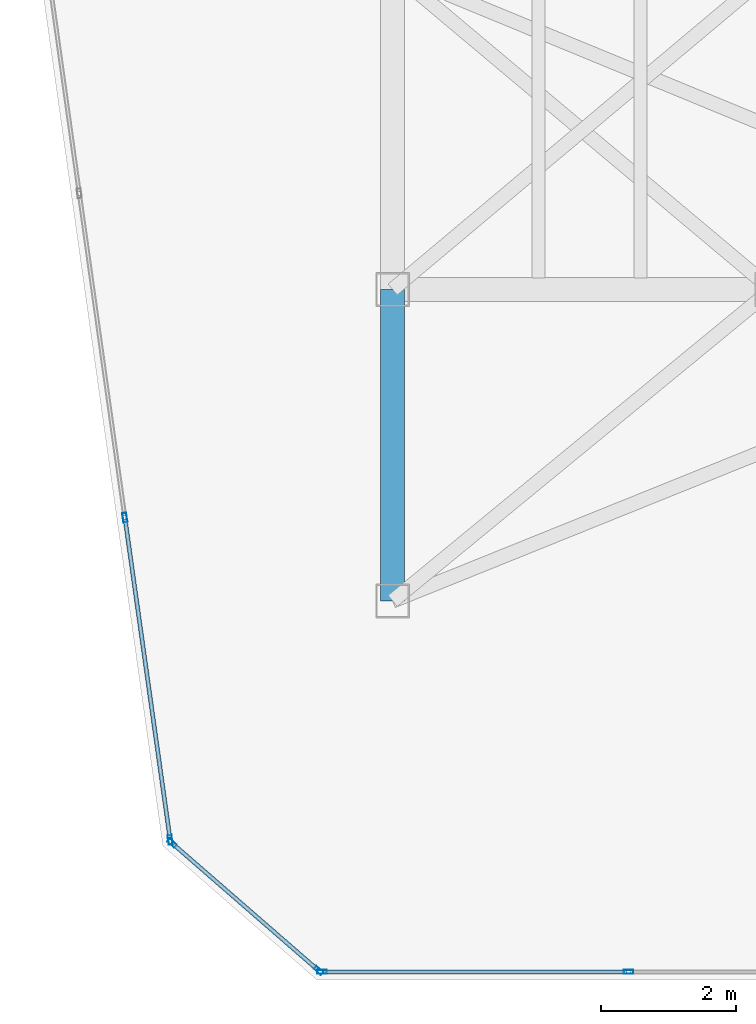
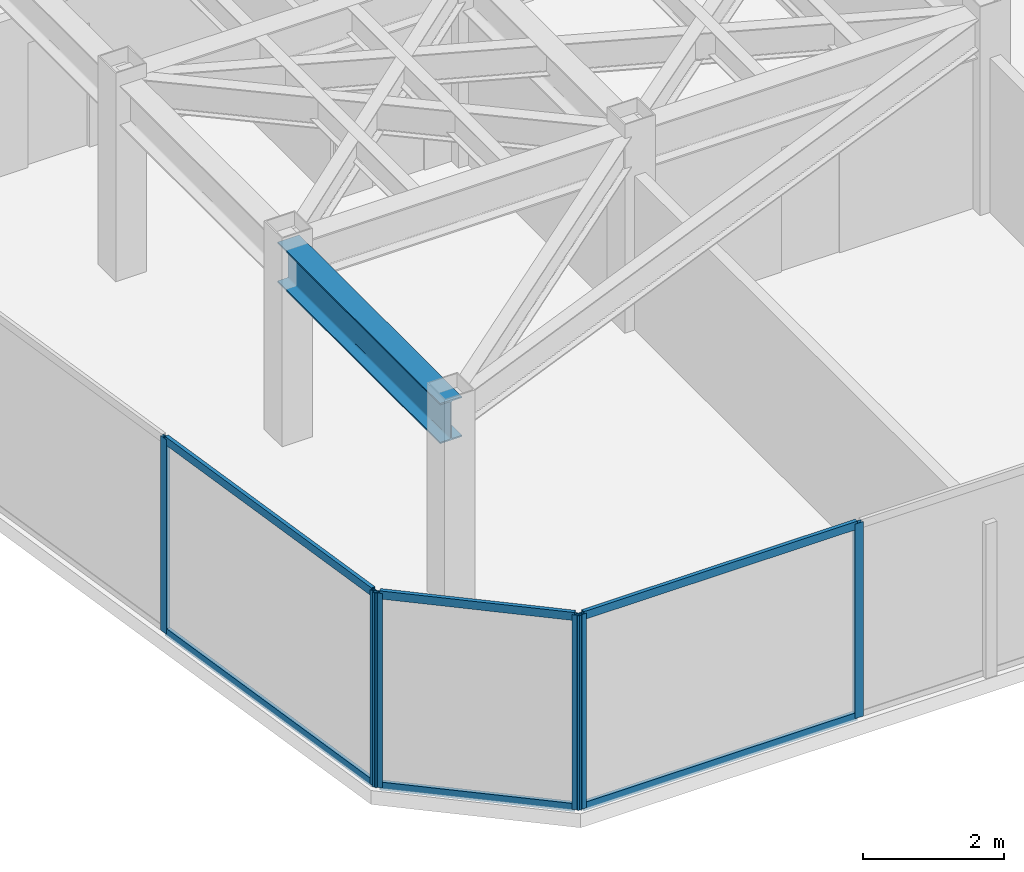
# One storey, part 2 of 20: 12 members, 1 beam, 3 elements without a shape of their own.
"""IFC4 building model written with IfcOpenShell, lengths in metres."""

from ifc_helpers import new_model, si_unit, direction, frame, origin, origin_2d, place, context, subcontext, project, spatial, hollow_rectangle, i_section, extrude, material, layer, layer_set, material_profile, profile_set, type_object, element, aggregate, save


model = new_model("IFC4")

# Units and contexts
model_context = context("Model", 3, precision=1e-05, world=origin(), true_north=direction((0.0, 1.0)))
body_context = subcontext(model_context, "Body", "Model", "MODEL_VIEW")
ifc_project = project(units=[si_unit("LENGTHUNIT", "METRE"), si_unit("AREAUNIT", "SQUARE_METRE"), si_unit("VOLUMEUNIT", "CUBIC_METRE"), si_unit("PLANEANGLEUNIT", "RADIAN"), si_unit("MASSUNIT", "GRAM", prefix="KILO")], contexts=[model_context])

# Site, building, storey
site_placement = place(None, origin())
site = spatial("IfcSite", under=ifc_project, at=site_placement, CompositionType="ELEMENT")
building_placement = place(site_placement, origin())
building = spatial("IfcBuilding", under=site, at=building_placement, Name="Kravanh Interchange Tower", CompositionType="ELEMENT")
storey_placement = place(building_placement, frame((0.0, 0.0, 234.60009765625)))
storey = spatial("IfcBuildingStorey", under=building, at=storey_placement, Name="L56", CompositionType="ELEMENT", Elevation=234.60009765625)

# Curtain wall, members
ifc_material_1 = material(Name="Anodised Bronze Aluminium", Category="aluminium")
ifc_layer = layer(ifc_material_1, 0.179931640625)
ifc_layer_set = layer_set([ifc_layer], Name="Unitised Curtain Wall System CW-HTL Luxury Hotel")
curtain_wall_type = type_object("IfcCurtainWallType", Name="Unitised Curtain Wall System CW-HTL Luxury Hotel", PredefinedType="NOTDEFINED", material=ifc_layer_set)
curtain_wall_1_placement = place(storey_placement, origin())
curtain_wall_1 = element("IfcCurtainWall", 1, at=curtain_wall_1_placement, inside=storey, type_object=curtain_wall_type, Name="L56 Unitised Curtain Wall CW-L56-01", PredefinedType="NOTDEFINED")
ifc_material_2 = material(Name="Anodised Bronze Aluminium", Category="aluminium")
ifc_material_profile_1 = material_profile(ifc_material_2, hollow_rectangle(XDim=0.06005859375, YDim=0.139892578125, WallThickness=0.00390625, at=origin_2d()), Name="ALU60X140X4")
ifc_profile_set_1 = profile_set([ifc_material_profile_1], Name="Anodised Bronze Aluminium")
member_type_1 = type_object("IfcMemberType", Name="Curtain Wall Mullion ALU60X140X4 Bronze", PredefinedType="MULLION", material=ifc_profile_set_1)
member_1_placement = place(storey_placement, frame((23.913330078125, 18.67138671875, 0.0), z_axis=(0.0, 0.0, 1.0), x_axis=(-0.990267623707, -0.13917626751, 0.0)))
member_1 = element("IfcMember", 2, at=member_1_placement, type_object=member_type_1, Name="CW-HTL mullion 1", PredefinedType="MULLION", context=body_context, shape_type="SweptSolid", body=[
    extrude(hollow_rectangle(XDim=0.06005859375, YDim=0.139892578125, WallThickness=0.00390625, at=origin_2d()), origin(), (0.0, 0.0, 1.0), 3.35986328125),
])
member_2_placement = place(storey_placement, frame((23.244384765625, 23.43115234375, 0.0), z_axis=(0.0, 0.0, 1.0), x_axis=(-0.990267623707, -0.13917626751, 0.0)))
member_2 = element("IfcMember", 3, at=member_2_placement, type_object=member_type_1, Name="CW-HTL mullion 2", PredefinedType="MULLION", context=body_context, shape_type="SweptSolid", body=[
    extrude(hollow_rectangle(XDim=0.06005859375, YDim=0.139892578125, WallThickness=0.00390625, at=origin_2d()), origin(), (0.0, 0.0, 1.0), 3.35986328125),
])

curtain_wall_2_placement = place(storey_placement, origin())
curtain_wall_2 = element("IfcCurtainWall", 4, at=curtain_wall_2_placement, inside=storey, type_object=curtain_wall_type, Name="L56 Unitised Curtain Wall CW-L56-06", PredefinedType="NOTDEFINED")
member_3_placement = place(storey_placement, frame((30.684326171875, 16.719970703125, 0.0), z_axis=(0.0, 0.0, 1.0), x_axis=(0.0, -1.0, 0.0)))
member_3 = element("IfcMember", 5, at=member_3_placement, type_object=member_type_1, Name="CW-HTL mullion 2", PredefinedType="MULLION", context=body_context, shape_type="SweptSolid", body=[
    extrude(hollow_rectangle(XDim=0.06005859375, YDim=0.139892578125, WallThickness=0.00390625, at=origin_2d()), origin(), (0.0, 0.0, 1.0), 3.35986328125),
])
member_4_placement = place(storey_placement, frame((26.158203125, 16.719970703125, 0.0), z_axis=(0.0, 0.0, 1.0), x_axis=(0.0, -1.0, 0.0)))
member_4 = element("IfcMember", 6, at=member_4_placement, type_object=member_type_1, Name="CW-HTL mullion 3", PredefinedType="MULLION", context=body_context, shape_type="SweptSolid", body=[
    extrude(hollow_rectangle(XDim=0.06005859375, YDim=0.139892578125, WallThickness=0.00390625, at=origin_2d()), origin(), (0.0, 0.0, 1.0), 3.35986328125),
])

curtain_wall_3_placement = place(storey_placement, origin())
curtain_wall_3 = element("IfcCurtainWall", 7, at=curtain_wall_3_placement, inside=storey, type_object=curtain_wall_type, Name="L56 Unitised Curtain Wall CW-L56-07", PredefinedType="NOTDEFINED")
member_5_placement = place(storey_placement, frame((26.10546875, 16.73974609375, 0.0), z_axis=(0.0, 0.0, 1.0), x_axis=(-0.656033323139, -0.75473192521, 0.0)))
member_5 = element("IfcMember", 8, at=member_5_placement, type_object=member_type_1, Name="CW-HTL mullion 1", PredefinedType="MULLION", context=body_context, shape_type="SweptSolid", body=[
    extrude(hollow_rectangle(XDim=0.06005859375, YDim=0.139892578125, WallThickness=0.00390625, at=origin_2d()), origin(), (0.0, 0.0, 1.0), 3.35986328125),
])
member_6_placement = place(storey_placement, frame((23.940185546875, 18.621826171875, 0.0), z_axis=(0.0, 0.0, 1.0), x_axis=(-0.656033323139, -0.75473192521, 0.0)))
member_6 = element("IfcMember", 9, at=member_6_placement, type_object=member_type_1, Name="CW-HTL mullion 2", PredefinedType="MULLION", context=body_context, shape_type="SweptSolid", body=[
    extrude(hollow_rectangle(XDim=0.06005859375, YDim=0.139892578125, WallThickness=0.00390625, at=origin_2d()), origin(), (0.0, 0.0, 1.0), 3.35986328125),
])

# Member
ifc_material_3 = material(Name="Anodised Bronze Aluminium", Category="aluminium")
ifc_material_profile_2 = material_profile(ifc_material_3, hollow_rectangle(XDim=0.06005859375, YDim=0.139892578125, WallThickness=0.00390625, at=origin_2d()), Name="ALU60X140X4")
ifc_profile_set_2 = profile_set([ifc_material_profile_2], Name="Anodised Bronze Aluminium")
member_type_2 = type_object("IfcMemberType", Name="Curtain Wall Transom ALU60X140X4 Bronze", PredefinedType="USERDEFINED", material=ifc_profile_set_2)
member_7_placement = place(storey_placement, frame((23.9091796875, 18.700927734375, 0.02978515625), z_axis=(-0.139174451053, 0.990267878997, 0.0), x_axis=(-0.990267878997, -0.139174451053, 0.0)))
member_7 = element("IfcMember", 10, at=member_7_placement, type_object=member_type_2, Name="CW-HTL transom 1.1", ObjectType="TRANSOM", PredefinedType="USERDEFINED", context=body_context, shape_type="SweptSolid", body=[
    extrude(hollow_rectangle(XDim=0.06005859375, YDim=0.139892578125, WallThickness=0.00390625, at=origin_2d()), origin(), (0.0, 0.0, 1.0), 4.746826171875),
])

member_8_placement = place(storey_placement, frame((23.9091796875, 18.700927734375, 3.329833984375), z_axis=(-0.139174451053, 0.990267878997, 0.0), x_axis=(-0.990267878997, -0.139174451053, 0.0)))
member_8 = element("IfcMember", 11, at=member_8_placement, type_object=member_type_2, Name="CW-HTL transom 1.2", ObjectType="TRANSOM", PredefinedType="USERDEFINED", context=body_context, shape_type="SweptSolid", body=[
    extrude(hollow_rectangle(XDim=0.06005859375, YDim=0.139892578125, WallThickness=0.00390625, at=origin_2d()), origin(), (0.0, 0.0, 1.0), 4.746826171875),
])

aggregate(curtain_wall_1, [member_1, member_2, member_7, member_8])

member_9_placement = place(storey_placement, frame((30.654296875, 16.719970703125, 0.02978515625), z_axis=(-1.0, 0.0, 0.0), x_axis=(0.0, -1.0, 0.0)))
member_9 = element("IfcMember", 12, at=member_9_placement, type_object=member_type_2, Name="CW-HTL transom 2.1", ObjectType="TRANSOM", PredefinedType="USERDEFINED", context=body_context, shape_type="SweptSolid", body=[
    extrude(hollow_rectangle(XDim=0.06005859375, YDim=0.139892578125, WallThickness=0.00390625, at=origin_2d()), origin(), (0.0, 0.0, 1.0), 4.466064453125),
])

member_10_placement = place(storey_placement, frame((30.654296875, 16.719970703125, 3.329833984375), z_axis=(-1.0, 0.0, 0.0), x_axis=(0.0, -1.0, 0.0)))
member_10 = element("IfcMember", 13, at=member_10_placement, type_object=member_type_2, Name="CW-HTL transom 2.2", ObjectType="TRANSOM", PredefinedType="USERDEFINED", context=body_context, shape_type="SweptSolid", body=[
    extrude(hollow_rectangle(XDim=0.06005859375, YDim=0.139892578125, WallThickness=0.00390625, at=origin_2d()), origin(), (0.0, 0.0, 1.0), 4.466064453125),
])

aggregate(curtain_wall_2, [member_3, member_4, member_9, member_10])

member_11_placement = place(storey_placement, frame((26.0830078125, 16.75927734375, 0.02978515625), z_axis=(-0.754704676026, 0.656064670581, 0.0), x_axis=(-0.656064670581, -0.754704676026, 0.0)))
member_11 = element("IfcMember", 14, at=member_11_placement, type_object=member_type_2, Name="CW-HTL transom 1.1", ObjectType="TRANSOM", PredefinedType="USERDEFINED", context=body_context, shape_type="SweptSolid", body=[
    extrude(hollow_rectangle(XDim=0.06005859375, YDim=0.139892578125, WallThickness=0.00390625, at=origin_2d()), origin(), (0.0, 0.0, 1.0), 2.80908203125),
])

member_12_placement = place(storey_placement, frame((26.0830078125, 16.75927734375, 3.329833984375), z_axis=(-0.754704676026, 0.656064670581, 0.0), x_axis=(-0.656064670581, -0.754704676026, 0.0)))
member_12 = element("IfcMember", 15, at=member_12_placement, type_object=member_type_2, Name="CW-HTL transom 1.2", ObjectType="TRANSOM", PredefinedType="USERDEFINED", context=body_context, shape_type="SweptSolid", body=[
    extrude(hollow_rectangle(XDim=0.06005859375, YDim=0.139892578125, WallThickness=0.00390625, at=origin_2d()), origin(), (0.0, 0.0, 1.0), 2.80908203125),
])

aggregate(curtain_wall_3, [member_5, member_6, member_11, member_12])

# Beam
ifc_material_4 = material(Name="Structural Steel S355", Category="steel")
ifc_material_profile_3 = material_profile(ifc_material_4, i_section(OverallWidth=0.35498046875, OverallDepth=0.696044921875, WebThickness=0.015380859375, FlangeThickness=0.02490234375, FilletRadius=0.02392578125, at=origin_2d()), Name="W27X146")
ifc_profile_set_3 = profile_set([ifc_material_profile_3], Name="Structural Steel S355")
beam_type = type_object("IfcBeamType", Name="Floor Beam W27X146 Structural Steel S355", PredefinedType="BEAM", material=ifc_profile_set_3)
beam_placement = place(storey_placement, frame((27.199951171875, 22.199951171875, 3.011962890625), z_axis=(0.0, 1.0, 0.0), x_axis=(-1.0, 0.0, 0.0)))
element("IfcBeam", 16, at=beam_placement, inside=storey, type_object=beam_type, Name="L56 Primary Floor Girder 40", PredefinedType="BEAM", context=body_context, shape_type="SweptSolid", body=[
    extrude(i_section(OverallWidth=0.35498046875, OverallDepth=0.696044921875, WebThickness=0.015380859375, FlangeThickness=0.02490234375, FilletRadius=0.02392578125, at=origin_2d()), origin(), (0.0, 0.0, 1.0), 4.60009765625),
])

save(model, "model.ifc")
